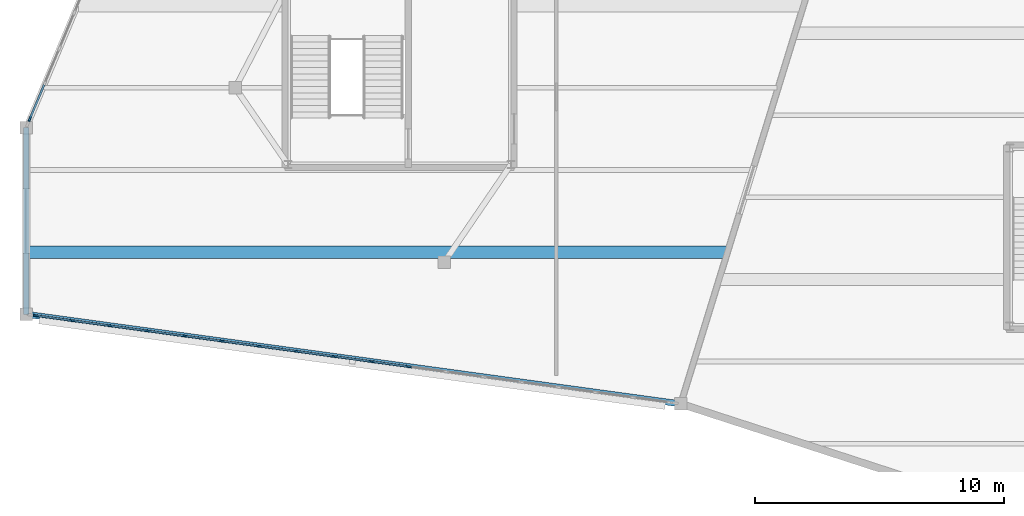
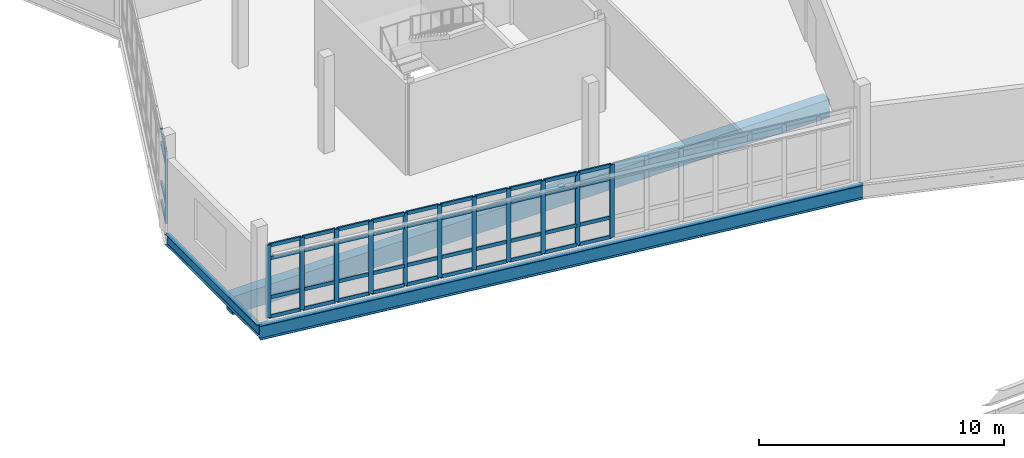
# One storey, part 51 of 134: 56 members, 3 beams, 2 elements without a shape of their own.
"""IFC4 building model written with IfcOpenShell, lengths in metres."""

from ifc_helpers import new_model, si_unit, direction, frame, origin, origin_2d, place, context, subcontext, project, spatial, rectangle, i_section, extrude, material, material_profile, profile_set, type_object, element, aggregate, save


model = new_model("IFC4")

# Units and contexts
model_context = context("Model", 3, precision=1e-05, world=origin(), true_north=direction((0.0, 1.0)))
body_context = subcontext(model_context, "Body", "Model", "MODEL_VIEW")
ifc_project = project(units=[si_unit("LENGTHUNIT", "METRE"), si_unit("AREAUNIT", "SQUARE_METRE"), si_unit("VOLUMEUNIT", "CUBIC_METRE"), si_unit("PLANEANGLEUNIT", "RADIAN"), si_unit("MASSUNIT", "GRAM", prefix="KILO")], contexts=[model_context])

# Site, building, storey
site_placement = place(None, origin())
site = spatial("IfcSite", under=ifc_project, at=site_placement, CompositionType="ELEMENT")
building_placement = place(site_placement, origin())
building = spatial("IfcBuilding", under=site, at=building_placement, Name="Tameran Prism Museum", CompositionType="ELEMENT")
storey_placement = place(building_placement, frame((0.0, 0.0, 5.39990234375)))
storey = spatial("IfcBuildingStorey", under=building, at=storey_placement, Name="L01", CompositionType="ELEMENT", Elevation=5.39990234375)

# Beams
ifc_material_1 = material(Name="Concrete N40 (40 MPa)", Category="concrete")
ifc_material_profile_1 = material_profile(ifc_material_1, rectangle(XDim=0.5, YDim=0.89990234375, at=origin_2d()))
ifc_profile_set_1 = profile_set([ifc_material_profile_1])
beam_type_1 = type_object("IfcBeamType", Name="BM-RC900", PredefinedType="BEAM", material=ifc_profile_set_1)
beam_1_placement = place(storey_placement, frame((0.0400390625, 70.39990234375, -0.7099609375), z_axis=(1.0, 0.0, 0.0), x_axis=(0.0, 1.0, 0.0)))
element("IfcBeam", 1, at=beam_1_placement, inside=storey, type_object=beam_type_1, Name="Floor Beam BM-0633", PredefinedType="BEAM", context=body_context, shape_type="SweptSolid", body=[
    extrude(rectangle(XDim=0.5, YDim=0.89990234375, at=origin_2d()), origin(), (0.0, 0.0, 1.0), 28.097900390625),
])
ifc_material_2 = material(Name="Steel Grade 300PLUS (300 MPa)", Category="steel")
ifc_material_profile_2 = material_profile(ifc_material_2, i_section(OverallWidth=0.208984375, OverallDepth=0.528076171875, WebThickness=0.009521484375, FlangeThickness=0.01318359375, FilletRadius=0.013916015625, at=origin_2d()))
ifc_profile_set_2 = profile_set([ifc_material_profile_2])
beam_type_2 = type_object("IfcBeamType", Name="BM-SP530B", PredefinedType="SPANDREL", material=ifc_profile_set_2)
beam_2_placement = place(storey_placement, frame((0.0, 75.39990234375, -0.52392578125), z_axis=(0.0, -1.0, 0.0), x_axis=(1.0, 0.0, 0.0)))
element("IfcBeam", 2, at=beam_2_placement, inside=storey, type_object=beam_type_2, Name="Perimeter Spandrel SP-0421", PredefinedType="SPANDREL", context=body_context, shape_type="SweptSolid", body=[
    extrude(i_section(OverallWidth=0.208984375, OverallDepth=0.528076171875, WebThickness=0.009521484375, FlangeThickness=0.01318359375, FilletRadius=0.013916015625, at=origin_2d()), origin(), (0.0, 0.0, 1.0), 7.5),
])
ifc_material_3 = material(Name="Steel Grade 350 (350 MPa)", Category="steel")
ifc_material_profile_3 = material_profile(ifc_material_3, i_section(OverallWidth=0.25, OverallDepth=0.699951171875, WebThickness=0.010009765625, FlangeThickness=0.02001953125, at=origin_2d()))
ifc_profile_set_3 = profile_set([ifc_material_profile_3])
beam_type_3 = type_object("IfcBeamType", Name="BM-SP700", PredefinedType="SPANDREL", material=ifc_profile_set_3)
beam_3_placement = place(storey_placement, frame((0.0, 67.89990234375, -0.60986328125), z_axis=(0.990762043415, -0.13561184804, 0.0), x_axis=(0.13561184804, 0.990762043415, 0.0)))
element("IfcBeam", 3, at=beam_3_placement, inside=storey, type_object=beam_type_3, Name="Perimeter Spandrel SP-0422", PredefinedType="SPANDREL", context=body_context, shape_type="SweptSolid", body=[
    extrude(i_section(OverallWidth=0.25, OverallDepth=0.699951171875, WebThickness=0.010009765625, FlangeThickness=0.02001953125, at=origin_2d()), origin(), (0.0, 0.0, 1.0), 26.545166015625),
])

# Curtain wall, members
ifc_material_4 = material(Name="Anodised Aluminium 6063-T6 and Cyclone Solar Glass", Category="aluminium")
curtain_wall_type_1 = type_object("IfcCurtainWallType", Name="CW-FAC-2579x362", PredefinedType="USERDEFINED", material=ifc_material_4)
curtain_wall_1_placement = place(storey_placement, origin())
curtain_wall_1 = element("IfcCurtainWall", 4, at=curtain_wall_1_placement, inside=storey, type_object=curtain_wall_type_1, Name="Unitised Curtain Wall CW-093", ObjectType="UNITISED CURTAIN WALL", PredefinedType="USERDEFINED")
ifc_material_5 = material(Name="Anodised Aluminium Alloy 6063-T6", Category="aluminium")
ifc_material_profile_4 = material_profile(ifc_material_5, rectangle(XDim=0.074951171875, YDim=0.199951171875, at=origin_2d()))
ifc_profile_set_4 = profile_set([ifc_material_profile_4])
member_type_1 = type_object("IfcMemberType", Name="CW-MUL-C", PredefinedType="MULLION", material=ifc_profile_set_4)
member_1_placement = place(storey_placement, frame((15.374755859375, 65.79541015625, 0.0), z_axis=(0.0, 0.0, 1.0), x_axis=(-0.135658330466, -0.990755679961, 0.0)))
member_1 = element("IfcMember", 5, at=member_1_placement, type_object=member_type_1, Name="CW-093 mullion 8", PredefinedType="MULLION", context=body_context, shape_type="SweptSolid", body=[
    extrude(rectangle(XDim=0.074951171875, YDim=0.199951171875, at=origin_2d()), origin(), (0.0, 0.0, 1.0), 3.6201171875),
])
member_2_placement = place(storey_placement, frame((13.871826171875, 66.001220703125, 0.0), z_axis=(0.0, 0.0, 1.0), x_axis=(-0.135658330466, -0.990755679961, 0.0)))
member_2 = element("IfcMember", 6, at=member_2_placement, type_object=member_type_1, Name="CW-093 mullion 9", PredefinedType="MULLION", context=body_context, shape_type="SweptSolid", body=[
    extrude(rectangle(XDim=0.074951171875, YDim=0.199951171875, at=origin_2d()), origin(), (0.0, 0.0, 1.0), 3.6201171875),
])
member_3_placement = place(storey_placement, frame((12.369140625, 66.206787109375, 0.0), z_axis=(0.0, 0.0, 1.0), x_axis=(-0.135658330466, -0.990755679961, 0.0)))
member_3 = element("IfcMember", 7, at=member_3_placement, type_object=member_type_1, Name="CW-093 mullion 10", PredefinedType="MULLION", context=body_context, shape_type="SweptSolid", body=[
    extrude(rectangle(XDim=0.074951171875, YDim=0.199951171875, at=origin_2d()), origin(), (0.0, 0.0, 1.0), 3.6201171875),
])
member_4_placement = place(storey_placement, frame((10.866455078125, 66.41259765625, 0.0), z_axis=(0.0, 0.0, 1.0), x_axis=(-0.135658330466, -0.990755679961, 0.0)))
member_4 = element("IfcMember", 8, at=member_4_placement, type_object=member_type_1, Name="CW-093 mullion 11", PredefinedType="MULLION", context=body_context, shape_type="SweptSolid", body=[
    extrude(rectangle(XDim=0.074951171875, YDim=0.199951171875, at=origin_2d()), origin(), (0.0, 0.0, 1.0), 3.6201171875),
])
member_5_placement = place(storey_placement, frame((9.363525390625, 66.618408203125, 0.0), z_axis=(0.0, 0.0, 1.0), x_axis=(-0.135658330466, -0.990755679961, 0.0)))
member_5 = element("IfcMember", 9, at=member_5_placement, type_object=member_type_1, Name="CW-093 mullion 12", PredefinedType="MULLION", context=body_context, shape_type="SweptSolid", body=[
    extrude(rectangle(XDim=0.074951171875, YDim=0.199951171875, at=origin_2d()), origin(), (0.0, 0.0, 1.0), 3.6201171875),
])
member_6_placement = place(storey_placement, frame((7.86083984375, 66.82421875, 0.0), z_axis=(0.0, 0.0, 1.0), x_axis=(-0.135658330466, -0.990755679961, 0.0)))
member_6 = element("IfcMember", 10, at=member_6_placement, type_object=member_type_1, Name="CW-093 mullion 13", PredefinedType="MULLION", context=body_context, shape_type="SweptSolid", body=[
    extrude(rectangle(XDim=0.074951171875, YDim=0.199951171875, at=origin_2d()), origin(), (0.0, 0.0, 1.0), 3.6201171875),
])
member_7_placement = place(storey_placement, frame((6.358154296875, 67.030029296875, 0.0), z_axis=(0.0, 0.0, 1.0), x_axis=(-0.135658330466, -0.990755679961, 0.0)))
member_7 = element("IfcMember", 11, at=member_7_placement, type_object=member_type_1, Name="CW-093 mullion 14", PredefinedType="MULLION", context=body_context, shape_type="SweptSolid", body=[
    extrude(rectangle(XDim=0.074951171875, YDim=0.199951171875, at=origin_2d()), origin(), (0.0, 0.0, 1.0), 3.6201171875),
])
member_8_placement = place(storey_placement, frame((4.855224609375, 67.235595703125, 0.0), z_axis=(0.0, 0.0, 1.0), x_axis=(-0.135658330466, -0.990755679961, 0.0)))
member_8 = element("IfcMember", 12, at=member_8_placement, type_object=member_type_1, Name="CW-093 mullion 15", PredefinedType="MULLION", context=body_context, shape_type="SweptSolid", body=[
    extrude(rectangle(XDim=0.074951171875, YDim=0.199951171875, at=origin_2d()), origin(), (0.0, 0.0, 1.0), 3.6201171875),
])
member_9_placement = place(storey_placement, frame((3.3525390625, 67.44140625, 0.0), z_axis=(0.0, 0.0, 1.0), x_axis=(-0.135658330466, -0.990755679961, 0.0)))
member_9 = element("IfcMember", 13, at=member_9_placement, type_object=member_type_1, Name="CW-093 mullion 16", PredefinedType="MULLION", context=body_context, shape_type="SweptSolid", body=[
    extrude(rectangle(XDim=0.074951171875, YDim=0.199951171875, at=origin_2d()), origin(), (0.0, 0.0, 1.0), 3.6201171875),
])
member_10_placement = place(storey_placement, frame((1.849853515625, 67.647216796875, 0.0), z_axis=(0.0, 0.0, 1.0), x_axis=(-0.135658330466, -0.990755679961, 0.0)))
member_10 = element("IfcMember", 14, at=member_10_placement, type_object=member_type_1, Name="CW-093 mullion 17", PredefinedType="MULLION", context=body_context, shape_type="SweptSolid", body=[
    extrude(rectangle(XDim=0.074951171875, YDim=0.199951171875, at=origin_2d()), origin(), (0.0, 0.0, 1.0), 3.6201171875),
])
member_11_placement = place(storey_placement, frame((0.384033203125, 67.847900390625, 0.0), z_axis=(0.0, 0.0, 1.0), x_axis=(-0.135658330466, -0.990755679961, 0.0)))
member_11 = element("IfcMember", 15, at=member_11_placement, type_object=member_type_1, Name="CW-093 mullion 18", PredefinedType="MULLION", context=body_context, shape_type="SweptSolid", body=[
    extrude(rectangle(XDim=0.074951171875, YDim=0.199951171875, at=origin_2d()), origin(), (0.0, 0.0, 1.0), 3.6201171875),
])

# Curtain wall, member
ifc_material_6 = material(Name="Anodised Aluminium 6063-T6 and Cyclone Solar Glass", Category="aluminium")
curtain_wall_type_2 = type_object("IfcCurtainWallType", Name="CW-FAC-1399x362", PredefinedType="USERDEFINED", material=ifc_material_6)
curtain_wall_2_placement = place(storey_placement, origin())
curtain_wall_2 = element("IfcCurtainWall", 16, at=curtain_wall_2_placement, inside=storey, type_object=curtain_wall_type_2, Name="Unitised Curtain Wall CW-094", ObjectType="UNITISED CURTAIN WALL", PredefinedType="USERDEFINED")
ifc_material_7 = material(Name="Anodised Aluminium Alloy 6063-T6", Category="aluminium")
ifc_material_profile_5 = material_profile(ifc_material_7, rectangle(XDim=0.080078125, YDim=0.219970703125, at=origin_2d()))
ifc_profile_set_5 = profile_set([ifc_material_profile_5])
member_type_2 = type_object("IfcMemberType", Name="CW-MUL-D", PredefinedType="MULLION", material=ifc_profile_set_5)
member_12_placement = place(storey_placement, frame((0.150390625, 75.760009765625, 0.0), z_axis=(0.0, 0.0, 1.0), x_axis=(-0.922251949595, 0.386589370609, 0.0)))
member_12 = element("IfcMember", 17, at=member_12_placement, type_object=member_type_2, Name="CW-094 mullion 1", PredefinedType="MULLION", context=body_context, shape_type="SweptSolid", body=[
    extrude(rectangle(XDim=0.080078125, YDim=0.219970703125, at=origin_2d()), origin(), (0.0, 0.0, 1.0), 3.6201171875),
])

# Member
ifc_material_8 = material(Name="Anodised Aluminium Alloy 6063-T6", Category="aluminium")
ifc_material_profile_6 = material_profile(ifc_material_8, rectangle(XDim=0.074951171875, YDim=0.175048828125, at=origin_2d()))
ifc_profile_set_6 = profile_set([ifc_material_profile_6])
member_type_3 = type_object("IfcMemberType", Name="CW-TRN-C", PredefinedType="USERDEFINED", material=ifc_profile_set_6)
member_13_placement = place(storey_placement, frame((15.33740234375, 65.800537109375, 0.03759765625), z_axis=(-0.990758932217, 0.135634576091, 0.0), x_axis=(-0.135634576091, -0.990758932217, 0.0)))
member_13 = element("IfcMember", 18, at=member_13_placement, type_object=member_type_3, Name="CW-093 transom 8.1", ObjectType="TRANSOM", PredefinedType="USERDEFINED", context=body_context, shape_type="SweptSolid", body=[
    extrude(rectangle(XDim=0.074951171875, YDim=0.175048828125, at=origin_2d()), origin(), (0.0, 0.0, 1.0), 1.44189453125),
])

member_14_placement = place(storey_placement, frame((15.33740234375, 65.800537109375, 1.0), z_axis=(-0.990758932217, 0.135634576091, 0.0), x_axis=(-0.135634576091, -0.990758932217, 0.0)))
member_14 = element("IfcMember", 19, at=member_14_placement, type_object=member_type_3, Name="CW-093 transom 8.2", ObjectType="TRANSOM", PredefinedType="USERDEFINED", context=body_context, shape_type="SweptSolid", body=[
    extrude(rectangle(XDim=0.074951171875, YDim=0.175048828125, at=origin_2d()), origin(), (0.0, 0.0, 1.0), 1.44189453125),
])

member_15_placement = place(storey_placement, frame((15.33740234375, 65.800537109375, 2.940185546875), z_axis=(-0.990758932217, 0.135634576091, 0.0), x_axis=(-0.135634576091, -0.990758932217, 0.0)))
member_15 = element("IfcMember", 20, at=member_15_placement, type_object=member_type_3, Name="CW-093 transom 8.3", ObjectType="TRANSOM", PredefinedType="USERDEFINED", context=body_context, shape_type="SweptSolid", body=[
    extrude(rectangle(XDim=0.074951171875, YDim=0.175048828125, at=origin_2d()), origin(), (0.0, 0.0, 1.0), 1.44189453125),
])

member_16_placement = place(storey_placement, frame((15.33740234375, 65.800537109375, 3.58251953125), z_axis=(-0.990758932217, 0.135634576091, 0.0), x_axis=(-0.135634576091, -0.990758932217, 0.0)))
member_16 = element("IfcMember", 21, at=member_16_placement, type_object=member_type_3, Name="CW-093 transom 8.4", ObjectType="TRANSOM", PredefinedType="USERDEFINED", context=body_context, shape_type="SweptSolid", body=[
    extrude(rectangle(XDim=0.074951171875, YDim=0.175048828125, at=origin_2d()), origin(), (0.0, 0.0, 1.0), 1.44189453125),
])

member_17_placement = place(storey_placement, frame((13.834716796875, 66.006103515625, 0.03759765625), z_axis=(-0.990736163826, 0.13580078677, 0.0), x_axis=(-0.13580078677, -0.990736163826, 0.0)))
member_17 = element("IfcMember", 22, at=member_17_placement, type_object=member_type_3, Name="CW-093 transom 9.1", ObjectType="TRANSOM", PredefinedType="USERDEFINED", context=body_context, shape_type="SweptSolid", body=[
    extrude(rectangle(XDim=0.074951171875, YDim=0.175048828125, at=origin_2d()), origin(), (0.0, 0.0, 1.0), 1.44189453125),
])

member_18_placement = place(storey_placement, frame((13.834716796875, 66.006103515625, 1.0), z_axis=(-0.990736163826, 0.13580078677, 0.0), x_axis=(-0.13580078677, -0.990736163826, 0.0)))
member_18 = element("IfcMember", 23, at=member_18_placement, type_object=member_type_3, Name="CW-093 transom 9.2", ObjectType="TRANSOM", PredefinedType="USERDEFINED", context=body_context, shape_type="SweptSolid", body=[
    extrude(rectangle(XDim=0.074951171875, YDim=0.175048828125, at=origin_2d()), origin(), (0.0, 0.0, 1.0), 1.44189453125),
])

member_19_placement = place(storey_placement, frame((13.834716796875, 66.006103515625, 2.940185546875), z_axis=(-0.990736163826, 0.13580078677, 0.0), x_axis=(-0.13580078677, -0.990736163826, 0.0)))
member_19 = element("IfcMember", 24, at=member_19_placement, type_object=member_type_3, Name="CW-093 transom 9.3", ObjectType="TRANSOM", PredefinedType="USERDEFINED", context=body_context, shape_type="SweptSolid", body=[
    extrude(rectangle(XDim=0.074951171875, YDim=0.175048828125, at=origin_2d()), origin(), (0.0, 0.0, 1.0), 1.44189453125),
])

member_20_placement = place(storey_placement, frame((13.834716796875, 66.006103515625, 3.58251953125), z_axis=(-0.990736163826, 0.13580078677, 0.0), x_axis=(-0.13580078677, -0.990736163826, 0.0)))
member_20 = element("IfcMember", 25, at=member_20_placement, type_object=member_type_3, Name="CW-093 transom 9.4", ObjectType="TRANSOM", PredefinedType="USERDEFINED", context=body_context, shape_type="SweptSolid", body=[
    extrude(rectangle(XDim=0.074951171875, YDim=0.175048828125, at=origin_2d()), origin(), (0.0, 0.0, 1.0), 1.44189453125),
])

member_21_placement = place(storey_placement, frame((12.33203125, 66.2119140625, 0.03759765625), z_axis=(-0.990758932217, 0.135634576091, 0.0), x_axis=(-0.135634576091, -0.990758932217, 0.0)))
member_21 = element("IfcMember", 26, at=member_21_placement, type_object=member_type_3, Name="CW-093 transom 10.1", ObjectType="TRANSOM", PredefinedType="USERDEFINED", context=body_context, shape_type="SweptSolid", body=[
    extrude(rectangle(XDim=0.074951171875, YDim=0.175048828125, at=origin_2d()), origin(), (0.0, 0.0, 1.0), 1.44189453125),
])

member_22_placement = place(storey_placement, frame((12.33203125, 66.2119140625, 1.0), z_axis=(-0.990758932217, 0.135634576091, 0.0), x_axis=(-0.135634576091, -0.990758932217, 0.0)))
member_22 = element("IfcMember", 27, at=member_22_placement, type_object=member_type_3, Name="CW-093 transom 10.2", ObjectType="TRANSOM", PredefinedType="USERDEFINED", context=body_context, shape_type="SweptSolid", body=[
    extrude(rectangle(XDim=0.074951171875, YDim=0.175048828125, at=origin_2d()), origin(), (0.0, 0.0, 1.0), 1.44189453125),
])

member_23_placement = place(storey_placement, frame((12.33203125, 66.2119140625, 2.940185546875), z_axis=(-0.990758932217, 0.135634576091, 0.0), x_axis=(-0.135634576091, -0.990758932217, 0.0)))
member_23 = element("IfcMember", 28, at=member_23_placement, type_object=member_type_3, Name="CW-093 transom 10.3", ObjectType="TRANSOM", PredefinedType="USERDEFINED", context=body_context, shape_type="SweptSolid", body=[
    extrude(rectangle(XDim=0.074951171875, YDim=0.175048828125, at=origin_2d()), origin(), (0.0, 0.0, 1.0), 1.44189453125),
])

member_24_placement = place(storey_placement, frame((12.33203125, 66.2119140625, 3.58251953125), z_axis=(-0.990758932217, 0.135634576091, 0.0), x_axis=(-0.135634576091, -0.990758932217, 0.0)))
member_24 = element("IfcMember", 29, at=member_24_placement, type_object=member_type_3, Name="CW-093 transom 10.4", ObjectType="TRANSOM", PredefinedType="USERDEFINED", context=body_context, shape_type="SweptSolid", body=[
    extrude(rectangle(XDim=0.074951171875, YDim=0.175048828125, at=origin_2d()), origin(), (0.0, 0.0, 1.0), 1.44189453125),
])

member_25_placement = place(storey_placement, frame((10.8291015625, 66.417724609375, 0.03759765625), z_axis=(-0.990758932217, 0.135634576091, 0.0), x_axis=(-0.135634576091, -0.990758932217, 0.0)))
member_25 = element("IfcMember", 30, at=member_25_placement, type_object=member_type_3, Name="CW-093 transom 11.1", ObjectType="TRANSOM", PredefinedType="USERDEFINED", context=body_context, shape_type="SweptSolid", body=[
    extrude(rectangle(XDim=0.074951171875, YDim=0.175048828125, at=origin_2d()), origin(), (0.0, 0.0, 1.0), 1.44189453125),
])

member_26_placement = place(storey_placement, frame((10.8291015625, 66.417724609375, 1.0), z_axis=(-0.990758932217, 0.135634576091, 0.0), x_axis=(-0.135634576091, -0.990758932217, 0.0)))
member_26 = element("IfcMember", 31, at=member_26_placement, type_object=member_type_3, Name="CW-093 transom 11.2", ObjectType="TRANSOM", PredefinedType="USERDEFINED", context=body_context, shape_type="SweptSolid", body=[
    extrude(rectangle(XDim=0.074951171875, YDim=0.175048828125, at=origin_2d()), origin(), (0.0, 0.0, 1.0), 1.44189453125),
])

member_27_placement = place(storey_placement, frame((10.8291015625, 66.417724609375, 2.940185546875), z_axis=(-0.990758932217, 0.135634576091, 0.0), x_axis=(-0.135634576091, -0.990758932217, 0.0)))
member_27 = element("IfcMember", 32, at=member_27_placement, type_object=member_type_3, Name="CW-093 transom 11.3", ObjectType="TRANSOM", PredefinedType="USERDEFINED", context=body_context, shape_type="SweptSolid", body=[
    extrude(rectangle(XDim=0.074951171875, YDim=0.175048828125, at=origin_2d()), origin(), (0.0, 0.0, 1.0), 1.44189453125),
])

member_28_placement = place(storey_placement, frame((10.8291015625, 66.417724609375, 3.58251953125), z_axis=(-0.990758932217, 0.135634576091, 0.0), x_axis=(-0.135634576091, -0.990758932217, 0.0)))
member_28 = element("IfcMember", 33, at=member_28_placement, type_object=member_type_3, Name="CW-093 transom 11.4", ObjectType="TRANSOM", PredefinedType="USERDEFINED", context=body_context, shape_type="SweptSolid", body=[
    extrude(rectangle(XDim=0.074951171875, YDim=0.175048828125, at=origin_2d()), origin(), (0.0, 0.0, 1.0), 1.44189453125),
])

member_29_placement = place(storey_placement, frame((9.326416015625, 66.62353515625, 0.03759765625), z_axis=(-0.990758932217, 0.135634576091, 0.0), x_axis=(-0.135634576091, -0.990758932217, 0.0)))
member_29 = element("IfcMember", 34, at=member_29_placement, type_object=member_type_3, Name="CW-093 transom 12.1", ObjectType="TRANSOM", PredefinedType="USERDEFINED", context=body_context, shape_type="SweptSolid", body=[
    extrude(rectangle(XDim=0.074951171875, YDim=0.175048828125, at=origin_2d()), origin(), (0.0, 0.0, 1.0), 1.44189453125),
])

member_30_placement = place(storey_placement, frame((9.326416015625, 66.62353515625, 1.0), z_axis=(-0.990758932217, 0.135634576091, 0.0), x_axis=(-0.135634576091, -0.990758932217, 0.0)))
member_30 = element("IfcMember", 35, at=member_30_placement, type_object=member_type_3, Name="CW-093 transom 12.2", ObjectType="TRANSOM", PredefinedType="USERDEFINED", context=body_context, shape_type="SweptSolid", body=[
    extrude(rectangle(XDim=0.074951171875, YDim=0.175048828125, at=origin_2d()), origin(), (0.0, 0.0, 1.0), 1.44189453125),
])

member_31_placement = place(storey_placement, frame((9.326416015625, 66.62353515625, 2.940185546875), z_axis=(-0.990758932217, 0.135634576091, 0.0), x_axis=(-0.135634576091, -0.990758932217, 0.0)))
member_31 = element("IfcMember", 36, at=member_31_placement, type_object=member_type_3, Name="CW-093 transom 12.3", ObjectType="TRANSOM", PredefinedType="USERDEFINED", context=body_context, shape_type="SweptSolid", body=[
    extrude(rectangle(XDim=0.074951171875, YDim=0.175048828125, at=origin_2d()), origin(), (0.0, 0.0, 1.0), 1.44189453125),
])

member_32_placement = place(storey_placement, frame((9.326416015625, 66.62353515625, 3.58251953125), z_axis=(-0.990758932217, 0.135634576091, 0.0), x_axis=(-0.135634576091, -0.990758932217, 0.0)))
member_32 = element("IfcMember", 37, at=member_32_placement, type_object=member_type_3, Name="CW-093 transom 12.4", ObjectType="TRANSOM", PredefinedType="USERDEFINED", context=body_context, shape_type="SweptSolid", body=[
    extrude(rectangle(XDim=0.074951171875, YDim=0.175048828125, at=origin_2d()), origin(), (0.0, 0.0, 1.0), 1.44189453125),
])

member_33_placement = place(storey_placement, frame((7.82373046875, 66.829345703125, 0.03759765625), z_axis=(-0.990758932217, 0.135634576091, 0.0), x_axis=(-0.135634576091, -0.990758932217, 0.0)))
member_33 = element("IfcMember", 38, at=member_33_placement, type_object=member_type_3, Name="CW-093 transom 13.1", ObjectType="TRANSOM", PredefinedType="USERDEFINED", context=body_context, shape_type="SweptSolid", body=[
    extrude(rectangle(XDim=0.074951171875, YDim=0.175048828125, at=origin_2d()), origin(), (0.0, 0.0, 1.0), 1.44189453125),
])

member_34_placement = place(storey_placement, frame((7.82373046875, 66.829345703125, 1.0), z_axis=(-0.990758932217, 0.135634576091, 0.0), x_axis=(-0.135634576091, -0.990758932217, 0.0)))
member_34 = element("IfcMember", 39, at=member_34_placement, type_object=member_type_3, Name="CW-093 transom 13.2", ObjectType="TRANSOM", PredefinedType="USERDEFINED", context=body_context, shape_type="SweptSolid", body=[
    extrude(rectangle(XDim=0.074951171875, YDim=0.175048828125, at=origin_2d()), origin(), (0.0, 0.0, 1.0), 1.44189453125),
])

member_35_placement = place(storey_placement, frame((7.82373046875, 66.829345703125, 2.940185546875), z_axis=(-0.990758932217, 0.135634576091, 0.0), x_axis=(-0.135634576091, -0.990758932217, 0.0)))
member_35 = element("IfcMember", 40, at=member_35_placement, type_object=member_type_3, Name="CW-093 transom 13.3", ObjectType="TRANSOM", PredefinedType="USERDEFINED", context=body_context, shape_type="SweptSolid", body=[
    extrude(rectangle(XDim=0.074951171875, YDim=0.175048828125, at=origin_2d()), origin(), (0.0, 0.0, 1.0), 1.44189453125),
])

member_36_placement = place(storey_placement, frame((7.82373046875, 66.829345703125, 3.58251953125), z_axis=(-0.990758932217, 0.135634576091, 0.0), x_axis=(-0.135634576091, -0.990758932217, 0.0)))
member_36 = element("IfcMember", 41, at=member_36_placement, type_object=member_type_3, Name="CW-093 transom 13.4", ObjectType="TRANSOM", PredefinedType="USERDEFINED", context=body_context, shape_type="SweptSolid", body=[
    extrude(rectangle(XDim=0.074951171875, YDim=0.175048828125, at=origin_2d()), origin(), (0.0, 0.0, 1.0), 1.44189453125),
])

member_37_placement = place(storey_placement, frame((6.32080078125, 67.034912109375, 0.03759765625), z_axis=(-0.990736163826, 0.13580078677, 0.0), x_axis=(-0.13580078677, -0.990736163826, 0.0)))
member_37 = element("IfcMember", 42, at=member_37_placement, type_object=member_type_3, Name="CW-093 transom 14.1", ObjectType="TRANSOM", PredefinedType="USERDEFINED", context=body_context, shape_type="SweptSolid", body=[
    extrude(rectangle(XDim=0.074951171875, YDim=0.175048828125, at=origin_2d()), origin(), (0.0, 0.0, 1.0), 1.44189453125),
])

member_38_placement = place(storey_placement, frame((6.32080078125, 67.034912109375, 1.0), z_axis=(-0.990736163826, 0.13580078677, 0.0), x_axis=(-0.13580078677, -0.990736163826, 0.0)))
member_38 = element("IfcMember", 43, at=member_38_placement, type_object=member_type_3, Name="CW-093 transom 14.2", ObjectType="TRANSOM", PredefinedType="USERDEFINED", context=body_context, shape_type="SweptSolid", body=[
    extrude(rectangle(XDim=0.074951171875, YDim=0.175048828125, at=origin_2d()), origin(), (0.0, 0.0, 1.0), 1.44189453125),
])

member_39_placement = place(storey_placement, frame((6.32080078125, 67.034912109375, 2.940185546875), z_axis=(-0.990736163826, 0.13580078677, 0.0), x_axis=(-0.13580078677, -0.990736163826, 0.0)))
member_39 = element("IfcMember", 44, at=member_39_placement, type_object=member_type_3, Name="CW-093 transom 14.3", ObjectType="TRANSOM", PredefinedType="USERDEFINED", context=body_context, shape_type="SweptSolid", body=[
    extrude(rectangle(XDim=0.074951171875, YDim=0.175048828125, at=origin_2d()), origin(), (0.0, 0.0, 1.0), 1.44189453125),
])

member_40_placement = place(storey_placement, frame((6.32080078125, 67.034912109375, 3.58251953125), z_axis=(-0.990736163826, 0.13580078677, 0.0), x_axis=(-0.13580078677, -0.990736163826, 0.0)))
member_40 = element("IfcMember", 45, at=member_40_placement, type_object=member_type_3, Name="CW-093 transom 14.4", ObjectType="TRANSOM", PredefinedType="USERDEFINED", context=body_context, shape_type="SweptSolid", body=[
    extrude(rectangle(XDim=0.074951171875, YDim=0.175048828125, at=origin_2d()), origin(), (0.0, 0.0, 1.0), 1.44189453125),
])

member_41_placement = place(storey_placement, frame((4.818115234375, 67.24072265625, 0.03759765625), z_axis=(-0.990758932217, 0.135634576091, 0.0), x_axis=(-0.135634576091, -0.990758932217, 0.0)))
member_41 = element("IfcMember", 46, at=member_41_placement, type_object=member_type_3, Name="CW-093 transom 15.1", ObjectType="TRANSOM", PredefinedType="USERDEFINED", context=body_context, shape_type="SweptSolid", body=[
    extrude(rectangle(XDim=0.074951171875, YDim=0.175048828125, at=origin_2d()), origin(), (0.0, 0.0, 1.0), 1.44189453125),
])

member_42_placement = place(storey_placement, frame((4.818115234375, 67.24072265625, 1.0), z_axis=(-0.990758932217, 0.135634576091, 0.0), x_axis=(-0.135634576091, -0.990758932217, 0.0)))
member_42 = element("IfcMember", 47, at=member_42_placement, type_object=member_type_3, Name="CW-093 transom 15.2", ObjectType="TRANSOM", PredefinedType="USERDEFINED", context=body_context, shape_type="SweptSolid", body=[
    extrude(rectangle(XDim=0.074951171875, YDim=0.175048828125, at=origin_2d()), origin(), (0.0, 0.0, 1.0), 1.44189453125),
])

member_43_placement = place(storey_placement, frame((4.818115234375, 67.24072265625, 2.940185546875), z_axis=(-0.990758932217, 0.135634576091, 0.0), x_axis=(-0.135634576091, -0.990758932217, 0.0)))
member_43 = element("IfcMember", 48, at=member_43_placement, type_object=member_type_3, Name="CW-093 transom 15.3", ObjectType="TRANSOM", PredefinedType="USERDEFINED", context=body_context, shape_type="SweptSolid", body=[
    extrude(rectangle(XDim=0.074951171875, YDim=0.175048828125, at=origin_2d()), origin(), (0.0, 0.0, 1.0), 1.44189453125),
])

member_44_placement = place(storey_placement, frame((4.818115234375, 67.24072265625, 3.58251953125), z_axis=(-0.990758932217, 0.135634576091, 0.0), x_axis=(-0.135634576091, -0.990758932217, 0.0)))
member_44 = element("IfcMember", 49, at=member_44_placement, type_object=member_type_3, Name="CW-093 transom 15.4", ObjectType="TRANSOM", PredefinedType="USERDEFINED", context=body_context, shape_type="SweptSolid", body=[
    extrude(rectangle(XDim=0.074951171875, YDim=0.175048828125, at=origin_2d()), origin(), (0.0, 0.0, 1.0), 1.44189453125),
])

member_45_placement = place(storey_placement, frame((3.3154296875, 67.446533203125, 0.03759765625), z_axis=(-0.990758932217, 0.135634576091, 0.0), x_axis=(-0.135634576091, -0.990758932217, 0.0)))
member_45 = element("IfcMember", 50, at=member_45_placement, type_object=member_type_3, Name="CW-093 transom 16.1", ObjectType="TRANSOM", PredefinedType="USERDEFINED", context=body_context, shape_type="SweptSolid", body=[
    extrude(rectangle(XDim=0.074951171875, YDim=0.175048828125, at=origin_2d()), origin(), (0.0, 0.0, 1.0), 1.44189453125),
])

member_46_placement = place(storey_placement, frame((3.3154296875, 67.446533203125, 1.0), z_axis=(-0.990758932217, 0.135634576091, 0.0), x_axis=(-0.135634576091, -0.990758932217, 0.0)))
member_46 = element("IfcMember", 51, at=member_46_placement, type_object=member_type_3, Name="CW-093 transom 16.2", ObjectType="TRANSOM", PredefinedType="USERDEFINED", context=body_context, shape_type="SweptSolid", body=[
    extrude(rectangle(XDim=0.074951171875, YDim=0.175048828125, at=origin_2d()), origin(), (0.0, 0.0, 1.0), 1.44189453125),
])

member_47_placement = place(storey_placement, frame((3.3154296875, 67.446533203125, 2.940185546875), z_axis=(-0.990758932217, 0.135634576091, 0.0), x_axis=(-0.135634576091, -0.990758932217, 0.0)))
member_47 = element("IfcMember", 52, at=member_47_placement, type_object=member_type_3, Name="CW-093 transom 16.3", ObjectType="TRANSOM", PredefinedType="USERDEFINED", context=body_context, shape_type="SweptSolid", body=[
    extrude(rectangle(XDim=0.074951171875, YDim=0.175048828125, at=origin_2d()), origin(), (0.0, 0.0, 1.0), 1.44189453125),
])

member_48_placement = place(storey_placement, frame((3.3154296875, 67.446533203125, 3.58251953125), z_axis=(-0.990758932217, 0.135634576091, 0.0), x_axis=(-0.135634576091, -0.990758932217, 0.0)))
member_48 = element("IfcMember", 53, at=member_48_placement, type_object=member_type_3, Name="CW-093 transom 16.4", ObjectType="TRANSOM", PredefinedType="USERDEFINED", context=body_context, shape_type="SweptSolid", body=[
    extrude(rectangle(XDim=0.074951171875, YDim=0.175048828125, at=origin_2d()), origin(), (0.0, 0.0, 1.0), 1.44189453125),
])

member_49_placement = place(storey_placement, frame((1.8125, 67.65234375, 0.03759765625), z_axis=(-0.990760202109, 0.135625299692, 0.0), x_axis=(-0.135625299692, -0.990760202109, 0.0)))
member_49 = element("IfcMember", 54, at=member_49_placement, type_object=member_type_3, Name="CW-093 transom 17.1", ObjectType="TRANSOM", PredefinedType="USERDEFINED", context=body_context, shape_type="SweptSolid", body=[
    extrude(rectangle(XDim=0.074951171875, YDim=0.175048828125, at=origin_2d()), origin(), (0.0, 0.0, 1.0), 1.404052734375),
])

member_50_placement = place(storey_placement, frame((1.8125, 67.65234375, 1.0), z_axis=(-0.990760202109, 0.135625299692, 0.0), x_axis=(-0.135625299692, -0.990760202109, 0.0)))
member_50 = element("IfcMember", 55, at=member_50_placement, type_object=member_type_3, Name="CW-093 transom 17.2", ObjectType="TRANSOM", PredefinedType="USERDEFINED", context=body_context, shape_type="SweptSolid", body=[
    extrude(rectangle(XDim=0.074951171875, YDim=0.175048828125, at=origin_2d()), origin(), (0.0, 0.0, 1.0), 1.404052734375),
])

member_51_placement = place(storey_placement, frame((1.8125, 67.65234375, 2.940185546875), z_axis=(-0.990760202109, 0.135625299692, 0.0), x_axis=(-0.135625299692, -0.990760202109, 0.0)))
member_51 = element("IfcMember", 56, at=member_51_placement, type_object=member_type_3, Name="CW-093 transom 17.3", ObjectType="TRANSOM", PredefinedType="USERDEFINED", context=body_context, shape_type="SweptSolid", body=[
    extrude(rectangle(XDim=0.074951171875, YDim=0.175048828125, at=origin_2d()), origin(), (0.0, 0.0, 1.0), 1.404052734375),
])

member_52_placement = place(storey_placement, frame((1.8125, 67.65234375, 3.58251953125), z_axis=(-0.990760202109, 0.135625299692, 0.0), x_axis=(-0.135625299692, -0.990760202109, 0.0)))
member_52 = element("IfcMember", 57, at=member_52_placement, type_object=member_type_3, Name="CW-093 transom 17.4", ObjectType="TRANSOM", PredefinedType="USERDEFINED", context=body_context, shape_type="SweptSolid", body=[
    extrude(rectangle(XDim=0.074951171875, YDim=0.175048828125, at=origin_2d()), origin(), (0.0, 0.0, 1.0), 1.404052734375),
])

aggregate(curtain_wall_1, [member_1, member_2, member_3, member_4, member_5, member_6, member_7, member_8, member_9, member_10, member_11, member_13, member_14, member_15, member_16, member_17, member_18, member_19, member_20, member_21, member_22, member_23, member_24, member_25, member_26, member_27, member_28, member_29, member_30, member_31, member_32, member_33, member_34, member_35, member_36, member_37, member_38, member_39, member_40, member_41, member_42, member_43, member_44, member_45, member_46, member_47, member_48, member_49, member_50, member_51, member_52])

ifc_material_9 = material(Name="Anodised Aluminium Alloy 6063-T6", Category="aluminium")
ifc_material_profile_7 = material_profile(ifc_material_9, rectangle(XDim=0.080078125, YDim=0.195068359375, at=origin_2d()))
ifc_profile_set_7 = profile_set([ifc_material_profile_7])
member_type_4 = type_object("IfcMemberType", Name="CW-TRN-D", PredefinedType="USERDEFINED", material=ifc_profile_set_7)
member_53_placement = place(storey_placement, frame((0.166015625, 75.796875, 0.0400390625), z_axis=(0.386488451099, 0.922294246522, 0.0), x_axis=(-0.922294246522, 0.386488451099, 0.0)))
member_53 = element("IfcMember", 58, at=member_53_placement, type_object=member_type_4, Name="CW-094 transom 1.1", ObjectType="TRANSOM", PredefinedType="USERDEFINED", context=body_context, shape_type="SweptSolid", body=[
    extrude(rectangle(XDim=0.080078125, YDim=0.195068359375, at=origin_2d()), origin(), (0.0, 0.0, 1.0), 1.433837890625),
])

member_54_placement = place(storey_placement, frame((0.166015625, 75.796875, 1.0), z_axis=(0.386488451099, 0.922294246522, 0.0), x_axis=(-0.922294246522, 0.386488451099, 0.0)))
member_54 = element("IfcMember", 59, at=member_54_placement, type_object=member_type_4, Name="CW-094 transom 1.2", ObjectType="TRANSOM", PredefinedType="USERDEFINED", context=body_context, shape_type="SweptSolid", body=[
    extrude(rectangle(XDim=0.080078125, YDim=0.195068359375, at=origin_2d()), origin(), (0.0, 0.0, 1.0), 1.433837890625),
])

member_55_placement = place(storey_placement, frame((0.166015625, 75.796875, 2.940185546875), z_axis=(0.386488451099, 0.922294246522, 0.0), x_axis=(-0.922294246522, 0.386488451099, 0.0)))
member_55 = element("IfcMember", 60, at=member_55_placement, type_object=member_type_4, Name="CW-094 transom 1.3", ObjectType="TRANSOM", PredefinedType="USERDEFINED", context=body_context, shape_type="SweptSolid", body=[
    extrude(rectangle(XDim=0.080078125, YDim=0.195068359375, at=origin_2d()), origin(), (0.0, 0.0, 1.0), 1.433837890625),
])

member_56_placement = place(storey_placement, frame((0.166015625, 75.796875, 3.580078125), z_axis=(0.386488451099, 0.922294246522, 0.0), x_axis=(-0.922294246522, 0.386488451099, 0.0)))
member_56 = element("IfcMember", 61, at=member_56_placement, type_object=member_type_4, Name="CW-094 transom 1.4", ObjectType="TRANSOM", PredefinedType="USERDEFINED", context=body_context, shape_type="SweptSolid", body=[
    extrude(rectangle(XDim=0.080078125, YDim=0.195068359375, at=origin_2d()), origin(), (0.0, 0.0, 1.0), 1.433837890625),
])

aggregate(curtain_wall_2, [member_12, member_53, member_54, member_55, member_56])

save(model, "model.ifc")
